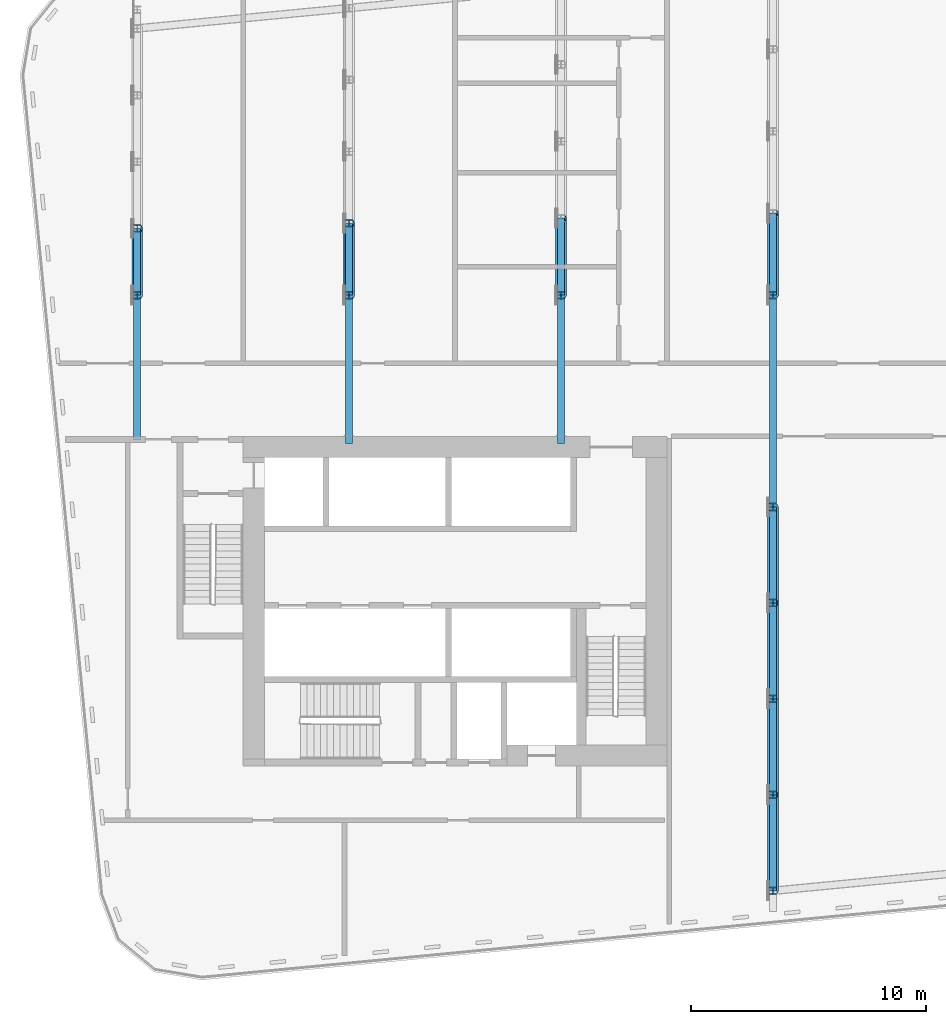
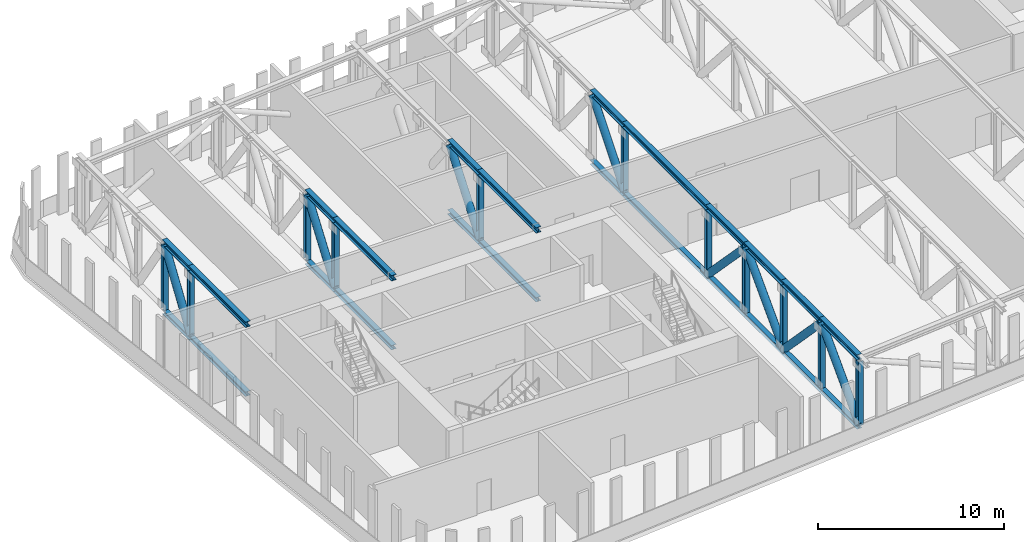
# One storey, part 1 of 22: 43 members.
"""IFC4 building model written with IfcOpenShell, lengths in metres."""

from ifc_helpers import new_model, si_unit, direction, frame, origin, origin_2d, place, context, subcontext, project, spatial, hollow_circle, i_section, extrude, material, material_profile, profile_set, type_object, element, save


model = new_model("IFC4")

# Units and contexts
model_context = context("Model", 3, precision=1e-05, world=origin(), true_north=direction((0.0, 1.0)))
body_context = subcontext(model_context, "Body", "Model", "MODEL_VIEW")
ifc_project = project(units=[si_unit("LENGTHUNIT", "METRE"), si_unit("AREAUNIT", "SQUARE_METRE"), si_unit("VOLUMEUNIT", "CUBIC_METRE"), si_unit("PLANEANGLEUNIT", "RADIAN"), si_unit("MASSUNIT", "GRAM", prefix="KILO")], contexts=[model_context])

# Site, building, storey
site_placement = place(None, origin())
site = spatial("IfcSite", under=ifc_project, at=site_placement, CompositionType="ELEMENT")
building_placement = place(site_placement, origin())
building = spatial("IfcBuilding", under=site, at=building_placement, Name="Kajstack Hotel Tower", CompositionType="ELEMENT")
storey_placement = place(building_placement, frame((0.0, 0.0, 150.39990234375)))
storey = spatial("IfcBuildingStorey", under=building, at=storey_placement, Name="L35", CompositionType="ELEMENT", Elevation=150.39990234375)

# Members
ifc_material = material(Name="Steel S355J2", Category="steel")
ifc_material_profile_1 = material_profile(ifc_material, i_section(OverallWidth=0.300048828125, OverallDepth=0.2900390625, WebThickness=0.008544921875, FlangeThickness=0.013916015625, FilletRadius=0.027099609375, at=origin_2d()), Name="HEA 300")
ifc_profile_set_1 = profile_set([ifc_material_profile_1], Name="Steel S355J2")
member_type_1 = type_object("IfcMemberType", Name="Belt truss bottom chord BC3 HEA 300", PredefinedType="CHORD", material=ifc_profile_set_1)
member_1_placement = place(storey_placement, frame((-36.0, -1.64990234375, -0.14501953125), z_axis=(0.0, 1.0, 0.0), x_axis=(-1.0, 0.0, 0.0)))
element("IfcMember", 1, at=member_1_placement, inside=storey, type_object=member_type_1, Name="S-belt-truss-L35--36p0-1-bc7", PredefinedType="CHORD", context=body_context, shape_type="SweptSolid", body=[
    extrude(i_section(OverallWidth=0.300048828125, OverallDepth=0.2900390625, WebThickness=0.008544921875, FlangeThickness=0.013916015625, FilletRadius=0.027099609375, at=origin_2d()), origin(), (0.0, 0.0, 1.0), 6.14990234375),
])
member_2_placement = place(storey_placement, frame((-36.0, 4.5, -0.14501953125), z_axis=(0.0, 1.0, 0.0), x_axis=(-1.0, 0.0, 0.0)))
element("IfcMember", 2, at=member_2_placement, inside=storey, type_object=member_type_1, Name="S-belt-truss-L35--36p0-1-bc8", PredefinedType="CHORD", context=body_context, shape_type="SweptSolid", body=[
    extrude(i_section(OverallWidth=0.300048828125, OverallDepth=0.2900390625, WebThickness=0.008544921875, FlangeThickness=0.013916015625, FilletRadius=0.027099609375, at=origin_2d()), origin(), (0.0, 0.0, 1.0), 2.830810546875),
])
member_3_placement = place(storey_placement, frame((-27.0, -1.800048828125, -0.14501953125), z_axis=(0.0, 1.0, 0.0), x_axis=(-1.0, 0.0, 0.0)))
element("IfcMember", 3, at=member_3_placement, inside=storey, type_object=member_type_1, Name="S-outrigger-truss-L35--27p0-1-bc7", PredefinedType="CHORD", context=body_context, shape_type="SweptSolid", body=[
    extrude(i_section(OverallWidth=0.300048828125, OverallDepth=0.2900390625, WebThickness=0.008544921875, FlangeThickness=0.013916015625, FilletRadius=0.027099609375, at=origin_2d()), origin(), (0.0, 0.0, 1.0), 6.300048828125),
])
member_4_placement = place(storey_placement, frame((-27.0, 4.5, -0.14501953125), z_axis=(0.0, 1.0, 0.0), x_axis=(-1.0, 0.0, 0.0)))
element("IfcMember", 4, at=member_4_placement, inside=storey, type_object=member_type_1, Name="S-outrigger-truss-L35--27p0-1-bc8", PredefinedType="CHORD", context=body_context, shape_type="SweptSolid", body=[
    extrude(i_section(OverallWidth=0.300048828125, OverallDepth=0.2900390625, WebThickness=0.008544921875, FlangeThickness=0.013916015625, FilletRadius=0.027099609375, at=origin_2d()), origin(), (0.0, 0.0, 1.0), 3.04736328125),
])
member_5_placement = place(storey_placement, frame((-18.0, -1.800048828125, -0.14501953125), z_axis=(0.0, 1.0, 0.0), x_axis=(-1.0, 0.0, 0.0)))
element("IfcMember", 5, at=member_5_placement, inside=storey, type_object=member_type_1, Name="S-outrigger-truss-L35--18p0-1-bc7", PredefinedType="CHORD", context=body_context, shape_type="SweptSolid", body=[
    extrude(i_section(OverallWidth=0.300048828125, OverallDepth=0.2900390625, WebThickness=0.008544921875, FlangeThickness=0.013916015625, FilletRadius=0.027099609375, at=origin_2d()), origin(), (0.0, 0.0, 1.0), 6.300048828125),
])
member_6_placement = place(storey_placement, frame((-18.0, 4.5, -0.14501953125), z_axis=(0.0, 1.0, 0.0), x_axis=(-1.0, 0.0, 0.0)))
element("IfcMember", 6, at=member_6_placement, inside=storey, type_object=member_type_1, Name="S-outrigger-truss-L35--18p0-1-bc8", PredefinedType="CHORD", context=body_context, shape_type="SweptSolid", body=[
    extrude(i_section(OverallWidth=0.300048828125, OverallDepth=0.2900390625, WebThickness=0.008544921875, FlangeThickness=0.013916015625, FilletRadius=0.027099609375, at=origin_2d()), origin(), (0.0, 0.0, 1.0), 3.26416015625),
])
member_7_placement = place(storey_placement, frame((-9.0, -20.799072265625, -0.14501953125), z_axis=(0.0, 1.0, 0.0), x_axis=(-1.0, 0.0, 0.0)))
element("IfcMember", 7, at=member_7_placement, inside=storey, type_object=member_type_1, Name="S-belt-truss-L35--9p0-1-bc12", PredefinedType="CHORD", context=body_context, shape_type="SweptSolid", body=[
    extrude(i_section(OverallWidth=0.300048828125, OverallDepth=0.2900390625, WebThickness=0.008544921875, FlangeThickness=0.013916015625, FilletRadius=0.027099609375, at=origin_2d()), origin(), (0.0, 0.0, 1.0), 4.07470703125),
])
member_8_placement = place(storey_placement, frame((-9.0, -16.724365234375, -0.14501953125), z_axis=(0.0, 1.0, 0.0), x_axis=(-1.0, 0.0, 0.0)))
element("IfcMember", 8, at=member_8_placement, inside=storey, type_object=member_type_1, Name="S-belt-truss-L35--9p0-1-bc13", PredefinedType="CHORD", context=body_context, shape_type="SweptSolid", body=[
    extrude(i_section(OverallWidth=0.300048828125, OverallDepth=0.2900390625, WebThickness=0.008544921875, FlangeThickness=0.013916015625, FilletRadius=0.027099609375, at=origin_2d()), origin(), (0.0, 0.0, 1.0), 4.074951171875),
])
for number, where, z_axis, x_axis, name in (
    (9, (-9.0, -12.6494140625, -0.14501953125), (0.0, 1.0, 0.0), (-1.0, 0.0, 0.0), "S-belt-truss-L35--9p0-1-bc14"),
    (10, (-9.0, -8.57470703125, -0.14501953125), (0.0, 1.0, 0.0), (-1.0, 0.0, 0.0), "S-belt-truss-L35--9p0-1-bc15"),
):
    element("IfcMember", number, at=place(storey_placement, frame(where, z_axis=z_axis, x_axis=x_axis)), inside=storey, type_object=member_type_1, Name=name, PredefinedType="CHORD", context=body_context, shape_type="SweptSolid", body=[
        extrude(i_section(OverallWidth=0.300048828125, OverallDepth=0.2900390625, WebThickness=0.008544921875, FlangeThickness=0.013916015625, FilletRadius=0.027099609375, at=origin_2d()), origin(), (0.0, 0.0, 1.0), 4.07470703125),
    ])
member_9_placement = place(storey_placement, frame((-9.0, -4.5, -0.14501953125), z_axis=(0.0, 1.0, 0.0), x_axis=(-1.0, 0.0, 0.0)))
element("IfcMember", 11, at=member_9_placement, inside=storey, type_object=member_type_1, Name="S-belt-truss-L35--9p0-1-bc16", PredefinedType="CHORD", context=body_context, shape_type="SweptSolid", body=[
    extrude(i_section(OverallWidth=0.300048828125, OverallDepth=0.2900390625, WebThickness=0.008544921875, FlangeThickness=0.013916015625, FilletRadius=0.027099609375, at=origin_2d()), origin(), (0.0, 0.0, 1.0), 9.0),
])
member_10_placement = place(storey_placement, frame((-9.0, 4.5, -0.14501953125), z_axis=(0.0, 1.0, 0.0), x_axis=(-1.0, 0.0, 0.0)))
element("IfcMember", 12, at=member_10_placement, inside=storey, type_object=member_type_1, Name="S-belt-truss-L35--9p0-1-bc17", PredefinedType="CHORD", context=body_context, shape_type="SweptSolid", body=[
    extrude(i_section(OverallWidth=0.300048828125, OverallDepth=0.2900390625, WebThickness=0.008544921875, FlangeThickness=0.013916015625, FilletRadius=0.027099609375, at=origin_2d()), origin(), (0.0, 0.0, 1.0), 3.480712890625),
])
ifc_material_profile_2 = material_profile(ifc_material, hollow_circle(Radius=0.228515625, WallThickness=0.02001953125, at=origin_2d()), Name="CHS 457x20")
ifc_profile_set_2 = profile_set([ifc_material_profile_2], Name="Steel S355J2")
member_type_2 = type_object("IfcMemberType", Name="Belt truss diagonal DG3 CHS 457x20", PredefinedType="BRACE", material=ifc_profile_set_2)
member_11_placement = place(storey_placement, frame((-36.0, 4.5, 0.0), z_axis=(0.0, 0.555263676242, 0.831674365269), x_axis=(-1.0, 0.0, 0.0)))
element("IfcMember", 13, at=member_11_placement, inside=storey, type_object=member_type_2, Name="S-belt-truss-L35--36p0-1-dg19", PredefinedType="BRACE", context=body_context, shape_type="SweptSolid", body=[
    extrude(hollow_circle(Radius=0.228515625, WallThickness=0.02001953125, at=origin_2d()), origin(), (0.0, 0.0, 1.0), 5.09814453125),
])
member_12_placement = place(storey_placement, frame((-27.0, 4.5, 0.0), z_axis=(0.0, 0.583619669569, 0.812027143199), x_axis=(-1.0, 0.0, 0.0)))
element("IfcMember", 14, at=member_12_placement, inside=storey, type_object=member_type_2, Name="S-outrigger-truss-L35--27p0-1-dg19", PredefinedType="BRACE", context=body_context, shape_type="SweptSolid", body=[
    extrude(hollow_circle(Radius=0.228515625, WallThickness=0.02001953125, at=origin_2d()), origin(), (0.0, 0.0, 1.0), 5.221435546875),
])
member_13_placement = place(storey_placement, frame((-18.0, 4.5, 0.0), z_axis=(0.0, 0.61001941086, 0.792386470337), x_axis=(-1.0, 0.0, 0.0)))
element("IfcMember", 15, at=member_13_placement, inside=storey, type_object=member_type_2, Name="S-outrigger-truss-L35--18p0-1-dg19", PredefinedType="BRACE", context=body_context, shape_type="SweptSolid", body=[
    extrude(hollow_circle(Radius=0.228515625, WallThickness=0.02001953125, at=origin_2d()), origin(), (0.0, 0.0, 1.0), 5.350830078125),
])
for number, where, z_axis, x_axis, name in (
    (16, (-9.0, -20.799072265625, 0.0), (0.0, 0.692913712393, 0.721020517862), (-1.0, 0.0, 0.0), "S-belt-truss-L35--9p0-1-dg33"),
    (17, (-9.0, -12.6494140625, 0.0), (0.0, -0.692935294772, 0.720999776185), (1.0, 0.0, 0.0), "S-belt-truss-L35--9p0-1-dg34"),
    (18, (-9.0, -12.6494140625, 0.0), (0.0, 0.692913712393, 0.721020517862), (-1.0, 0.0, 0.0), "S-belt-truss-L35--9p0-1-dg35"),
    (19, (-9.0, -4.5, 0.0), (0.0, -0.692913712393, 0.721020517862), (1.0, 0.0, 0.0), "S-belt-truss-L35--9p0-1-dg36"),
):
    element("IfcMember", number, at=place(storey_placement, frame(where, z_axis=z_axis, x_axis=x_axis)), inside=storey, type_object=member_type_2, Name=name, PredefinedType="BRACE", context=body_context, shape_type="SweptSolid", body=[
        extrude(hollow_circle(Radius=0.228515625, WallThickness=0.02001953125, at=origin_2d()), origin(), (0.0, 0.0, 1.0), 5.880615234375),
    ])
member_14_placement = place(storey_placement, frame((-9.0, 4.5, 0.0), z_axis=(0.0, 0.634506870738, 0.772917221303), x_axis=(-1.0, 0.0, 0.0)))
element("IfcMember", 20, at=member_14_placement, inside=storey, type_object=member_type_2, Name="S-belt-truss-L35--9p0-1-dg37", PredefinedType="BRACE", context=body_context, shape_type="SweptSolid", body=[
    extrude(hollow_circle(Radius=0.228515625, WallThickness=0.02001953125, at=origin_2d()), origin(), (0.0, 0.0, 1.0), 5.485595703125),
])
ifc_material_profile_3 = material_profile(ifc_material, i_section(OverallWidth=0.300048828125, OverallDepth=0.300048828125, WebThickness=0.010986328125, FlangeThickness=0.01904296875, FilletRadius=0.027099609375, at=origin_2d()), Name="HEB 300")
ifc_profile_set_3 = profile_set([ifc_material_profile_3], Name="Steel S355J2")
member_type_3 = type_object("IfcMemberType", Name="Belt truss post PO3 HEB 300", PredefinedType="POST", material=ifc_profile_set_3)
for number, where, z_axis, x_axis, name in (
    (21, (-36.0, 4.5, 0.0), (0.0, 0.0, 1.0), (1.0, 0.0, 0.0), "S-belt-truss-L35--36p0-1-po13"),
    (22, (-36.0, 7.330810546875, 0.0), (0.0, 0.0, 1.0), (1.0, 0.0, 0.0), "S-belt-truss-L35--36p0-1-po14"),
    (23, (-27.0, 4.5, 0.0), (0.0, 0.0, 1.0), (1.0, 0.0, 0.0), "S-outrigger-truss-L35--27p0-1-po13"),
    (24, (-27.0, 7.54736328125, 0.0), (0.0, 0.0, 1.0), (1.0, 0.0, 0.0), "S-outrigger-truss-L35--27p0-1-po14"),
    (25, (-18.0, 4.5, 0.0), (0.0, 0.0, 1.0), (1.0, 0.0, 0.0), "S-outrigger-truss-L35--18p0-1-po13"),
    (26, (-9.0, -20.799072265625, 0.0), (0.0, 0.0, 1.0), (1.0, 0.0, 0.0), "S-belt-truss-L35--9p0-1-po22"),
    (27, (-9.0, -16.724365234375, 0.0), (0.0, 0.0, 1.0), (1.0, 0.0, 0.0), "S-belt-truss-L35--9p0-1-po23"),
    (28, (-9.0, -12.6494140625, 0.0), (0.0, 0.0, 1.0), (1.0, 0.0, 0.0), "S-belt-truss-L35--9p0-1-po24"),
    (29, (-9.0, -8.57470703125, 0.0), (0.0, 0.0, 1.0), (1.0, 0.0, 0.0), "S-belt-truss-L35--9p0-1-po25"),
    (30, (-9.0, -4.5, 0.0), (0.0, 0.0, 1.0), (1.0, 0.0, 0.0), "S-belt-truss-L35--9p0-1-po26"),
    (31, (-9.0, 4.5, 0.0), (0.0, 0.0, 1.0), (1.0, 0.0, 0.0), "S-belt-truss-L35--9p0-1-po27"),
):
    element("IfcMember", number, at=place(storey_placement, frame(where, z_axis=z_axis, x_axis=x_axis)), inside=storey, type_object=member_type_3, Name=name, PredefinedType="POST", context=body_context, shape_type="SweptSolid", body=[
        extrude(i_section(OverallWidth=0.300048828125, OverallDepth=0.300048828125, WebThickness=0.010986328125, FlangeThickness=0.01904296875, FilletRadius=0.027099609375, at=origin_2d()), origin(), (0.0, 0.0, 1.0), 4.239990234375),
    ])
ifc_material_profile_4 = material_profile(ifc_material, i_section(OverallWidth=0.300048828125, OverallDepth=0.360107421875, WebThickness=0.012451171875, FlangeThickness=0.0224609375, FilletRadius=0.027099609375, at=origin_2d()), Name="HEB 360")
ifc_profile_set_4 = profile_set([ifc_material_profile_4], Name="Steel S355J2")
member_type_4 = type_object("IfcMemberType", Name="Belt truss top chord TC3 HEB 360", PredefinedType="CHORD", material=ifc_profile_set_4)
member_15_placement = place(storey_placement, frame((-36.0, -1.64990234375, 4.420166015625), z_axis=(0.0, 1.0, 0.0), x_axis=(-1.0, 0.0, 0.0)))
element("IfcMember", 32, at=member_15_placement, inside=storey, type_object=member_type_4, Name="S-belt-truss-L35--36p0-1-tc1", PredefinedType="CHORD", context=body_context, shape_type="SweptSolid", body=[
    extrude(i_section(OverallWidth=0.300048828125, OverallDepth=0.360107421875, WebThickness=0.012451171875, FlangeThickness=0.0224609375, FilletRadius=0.027099609375, at=origin_2d()), origin(), (0.0, 0.0, 1.0), 6.14990234375),
])
member_16_placement = place(storey_placement, frame((-36.0, 4.5, 4.420166015625), z_axis=(0.0, 1.0, 0.0), x_axis=(-1.0, 0.0, 0.0)))
element("IfcMember", 33, at=member_16_placement, inside=storey, type_object=member_type_4, Name="S-belt-truss-L35--36p0-1-tc2", PredefinedType="CHORD", context=body_context, shape_type="SweptSolid", body=[
    extrude(i_section(OverallWidth=0.300048828125, OverallDepth=0.360107421875, WebThickness=0.012451171875, FlangeThickness=0.0224609375, FilletRadius=0.027099609375, at=origin_2d()), origin(), (0.0, 0.0, 1.0), 2.830810546875),
])
member_17_placement = place(storey_placement, frame((-27.0, -1.800048828125, 4.420166015625), z_axis=(0.0, 1.0, 0.0), x_axis=(-1.0, 0.0, 0.0)))
element("IfcMember", 34, at=member_17_placement, inside=storey, type_object=member_type_4, Name="S-outrigger-truss-L35--27p0-1-tc1", PredefinedType="CHORD", context=body_context, shape_type="SweptSolid", body=[
    extrude(i_section(OverallWidth=0.300048828125, OverallDepth=0.360107421875, WebThickness=0.012451171875, FlangeThickness=0.0224609375, FilletRadius=0.027099609375, at=origin_2d()), origin(), (0.0, 0.0, 1.0), 6.300048828125),
])
member_18_placement = place(storey_placement, frame((-27.0, 4.5, 4.420166015625), z_axis=(0.0, 1.0, 0.0), x_axis=(-1.0, 0.0, 0.0)))
element("IfcMember", 35, at=member_18_placement, inside=storey, type_object=member_type_4, Name="S-outrigger-truss-L35--27p0-1-tc2", PredefinedType="CHORD", context=body_context, shape_type="SweptSolid", body=[
    extrude(i_section(OverallWidth=0.300048828125, OverallDepth=0.360107421875, WebThickness=0.012451171875, FlangeThickness=0.0224609375, FilletRadius=0.027099609375, at=origin_2d()), origin(), (0.0, 0.0, 1.0), 3.04736328125),
])
member_19_placement = place(storey_placement, frame((-18.0, -1.800048828125, 4.420166015625), z_axis=(0.0, 1.0, 0.0), x_axis=(-1.0, 0.0, 0.0)))
element("IfcMember", 36, at=member_19_placement, inside=storey, type_object=member_type_4, Name="S-outrigger-truss-L35--18p0-1-tc1", PredefinedType="CHORD", context=body_context, shape_type="SweptSolid", body=[
    extrude(i_section(OverallWidth=0.300048828125, OverallDepth=0.360107421875, WebThickness=0.012451171875, FlangeThickness=0.0224609375, FilletRadius=0.027099609375, at=origin_2d()), origin(), (0.0, 0.0, 1.0), 6.300048828125),
])
member_20_placement = place(storey_placement, frame((-18.0, 4.5, 4.420166015625), z_axis=(0.0, 1.0, 0.0), x_axis=(-1.0, 0.0, 0.0)))
element("IfcMember", 37, at=member_20_placement, inside=storey, type_object=member_type_4, Name="S-outrigger-truss-L35--18p0-1-tc2", PredefinedType="CHORD", context=body_context, shape_type="SweptSolid", body=[
    extrude(i_section(OverallWidth=0.300048828125, OverallDepth=0.360107421875, WebThickness=0.012451171875, FlangeThickness=0.0224609375, FilletRadius=0.027099609375, at=origin_2d()), origin(), (0.0, 0.0, 1.0), 3.26416015625),
])
member_21_placement = place(storey_placement, frame((-9.0, -20.799072265625, 4.420166015625), z_axis=(0.0, 1.0, 0.0), x_axis=(-1.0, 0.0, 0.0)))
element("IfcMember", 38, at=member_21_placement, inside=storey, type_object=member_type_4, Name="S-belt-truss-L35--9p0-1-tc2", PredefinedType="CHORD", context=body_context, shape_type="SweptSolid", body=[
    extrude(i_section(OverallWidth=0.300048828125, OverallDepth=0.360107421875, WebThickness=0.012451171875, FlangeThickness=0.0224609375, FilletRadius=0.027099609375, at=origin_2d()), origin(), (0.0, 0.0, 1.0), 4.07470703125),
])
member_22_placement = place(storey_placement, frame((-9.0, -16.724365234375, 4.420166015625), z_axis=(0.0, 1.0, 0.0), x_axis=(-1.0, 0.0, 0.0)))
element("IfcMember", 39, at=member_22_placement, inside=storey, type_object=member_type_4, Name="S-belt-truss-L35--9p0-1-tc3", PredefinedType="CHORD", context=body_context, shape_type="SweptSolid", body=[
    extrude(i_section(OverallWidth=0.300048828125, OverallDepth=0.360107421875, WebThickness=0.012451171875, FlangeThickness=0.0224609375, FilletRadius=0.027099609375, at=origin_2d()), origin(), (0.0, 0.0, 1.0), 4.074951171875),
])
for number, where, z_axis, x_axis, name in (
    (40, (-9.0, -12.6494140625, 4.420166015625), (0.0, 1.0, 0.0), (-1.0, 0.0, 0.0), "S-belt-truss-L35--9p0-1-tc4"),
    (41, (-9.0, -8.57470703125, 4.420166015625), (0.0, 1.0, 0.0), (-1.0, 0.0, 0.0), "S-belt-truss-L35--9p0-1-tc5"),
):
    element("IfcMember", number, at=place(storey_placement, frame(where, z_axis=z_axis, x_axis=x_axis)), inside=storey, type_object=member_type_4, Name=name, PredefinedType="CHORD", context=body_context, shape_type="SweptSolid", body=[
        extrude(i_section(OverallWidth=0.300048828125, OverallDepth=0.360107421875, WebThickness=0.012451171875, FlangeThickness=0.0224609375, FilletRadius=0.027099609375, at=origin_2d()), origin(), (0.0, 0.0, 1.0), 4.07470703125),
    ])
member_23_placement = place(storey_placement, frame((-9.0, -4.5, 4.420166015625), z_axis=(0.0, 1.0, 0.0), x_axis=(-1.0, 0.0, 0.0)))
element("IfcMember", 42, at=member_23_placement, inside=storey, type_object=member_type_4, Name="S-belt-truss-L35--9p0-1-tc6", PredefinedType="CHORD", context=body_context, shape_type="SweptSolid", body=[
    extrude(i_section(OverallWidth=0.300048828125, OverallDepth=0.360107421875, WebThickness=0.012451171875, FlangeThickness=0.0224609375, FilletRadius=0.027099609375, at=origin_2d()), origin(), (0.0, 0.0, 1.0), 9.0),
])
member_24_placement = place(storey_placement, frame((-9.0, 4.5, 4.420166015625), z_axis=(0.0, 1.0, 0.0), x_axis=(-1.0, 0.0, 0.0)))
element("IfcMember", 43, at=member_24_placement, inside=storey, type_object=member_type_4, Name="S-belt-truss-L35--9p0-1-tc7", PredefinedType="CHORD", context=body_context, shape_type="SweptSolid", body=[
    extrude(i_section(OverallWidth=0.300048828125, OverallDepth=0.360107421875, WebThickness=0.012451171875, FlangeThickness=0.0224609375, FilletRadius=0.027099609375, at=origin_2d()), origin(), (0.0, 0.0, 1.0), 3.480712890625),
])

save(model, "model.ifc")
